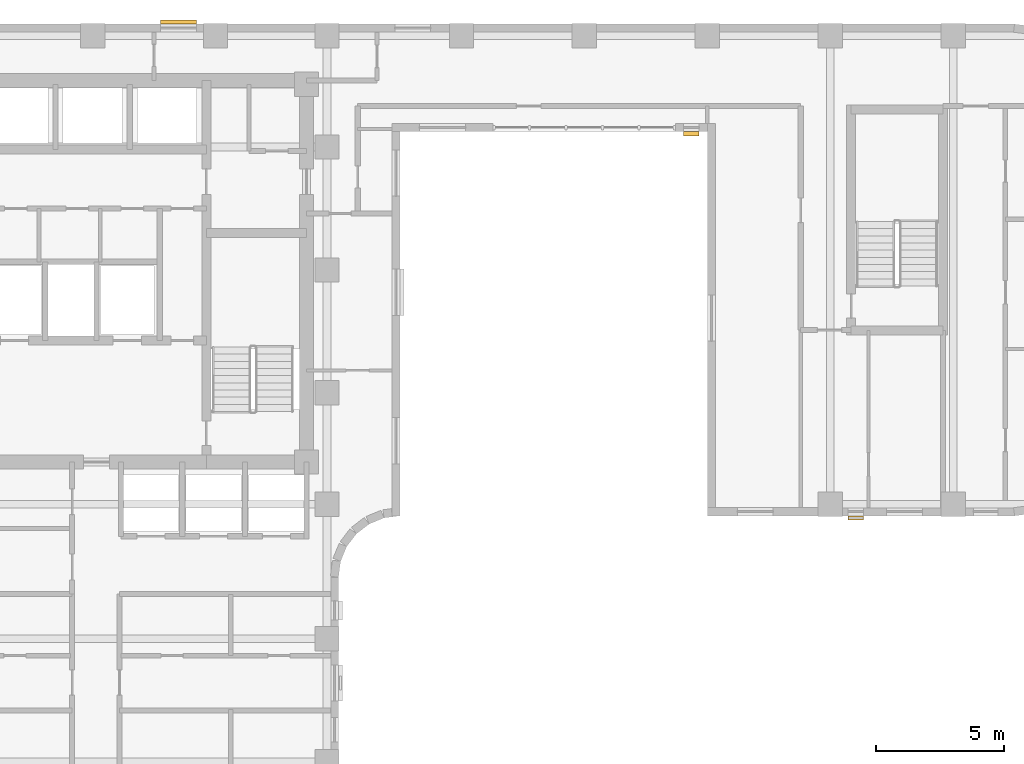
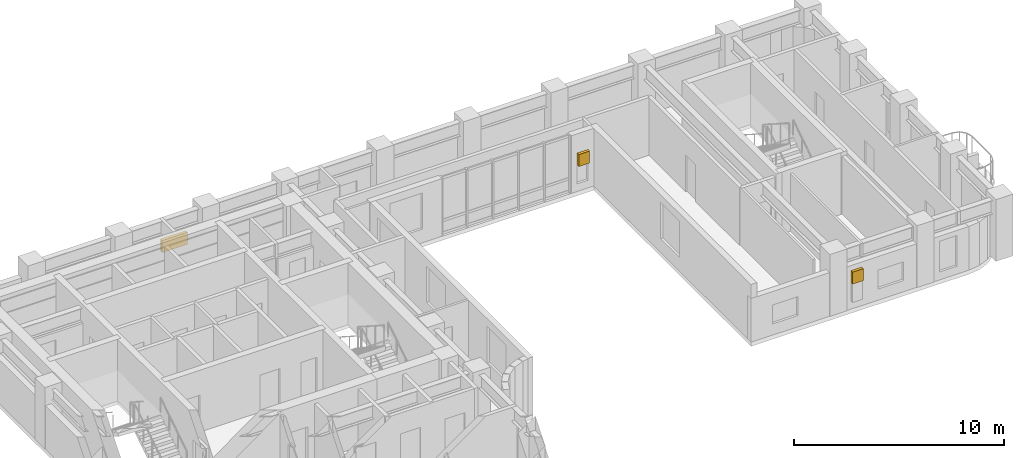
# One storey, part 11 of 11: 3 shading devices.
"""IFC4 building model written with IfcOpenShell, lengths in metres."""

from ifc_helpers import new_model, si_unit, direction, frame, origin, origin_2d, place, context, subcontext, project, spatial, rectangle, extrude, material, type_object, element, save


model = new_model("IFC4")

# Units and contexts
model_context = context("Model", 3, precision=1e-05, world=origin(), true_north=direction((0.0, 1.0)))
body_context = subcontext(model_context, "Body", "Model", "MODEL_VIEW")
ifc_project = project(units=[si_unit("LENGTHUNIT", "METRE"), si_unit("AREAUNIT", "SQUARE_METRE"), si_unit("VOLUMEUNIT", "CUBIC_METRE"), si_unit("PLANEANGLEUNIT", "RADIAN"), si_unit("MASSUNIT", "GRAM", prefix="KILO")], contexts=[model_context])

# Site, building, storey
site_placement = place(None, origin())
site = spatial("IfcSite", under=ifc_project, at=site_placement, CompositionType="ELEMENT")
building_placement = place(site_placement, origin())
building = spatial("IfcBuilding", under=site, at=building_placement, Name="Orvandelia Arch Residences", CompositionType="ELEMENT")
storey_placement = place(building_placement, frame((0.0, 0.0, 172.0)))
storey = spatial("IfcBuildingStorey", under=building, at=storey_placement, Name="L45", CompositionType="ELEMENT", Elevation=172.0)

# Shading devices
ifc_material = material(Name="Anodised Champagne-Bronze Extruded Aluminium", Category="aluminium")
shading_device_type = type_object("IfcShadingDeviceType", Name="SHD-JALOUSIE-SCREEN", PredefinedType="JALOUSIE", material=ifc_material)
shading_device_placement = place(storey_placement, frame((17.75244140625, 48.080078125, 1.0498046875), z_axis=(0.0, 0.0, 1.0), x_axis=(1.0, 0.0, 0.0)))
element("IfcShadingDevice", 1, at=shading_device_placement, inside=storey, type_object=shading_device_type, Name="Bronze Jalousie Sun-Shade L45-001", PredefinedType="JALOUSIE", context=body_context, shape_type="SweptSolid", body=[
    extrude(rectangle(XDim=1.39990234375, YDim=0.159912109375, at=origin_2d()), origin(), (0.0, 0.0, 1.0), 0.699951171875),
])
for number, where, z_axis, x_axis, name in (
    (2, (44.197509765625, 28.719970703125, 1.5498046875), (0.0, 0.0, 1.0), (-1.0, 0.0, 0.0), "Bronze Jalousie Sun-Shade L45-003"),
    (3, (37.780029296875, 43.719970703125, 1.5498046875), (0.0, 0.0, 1.0), (-1.0, 0.0, 0.0), "Bronze Jalousie Sun-Shade L45-004"),
):
    element("IfcShadingDevice", number, at=place(storey_placement, frame(where, z_axis=z_axis, x_axis=x_axis)), inside=storey, type_object=shading_device_type, Name=name, PredefinedType="JALOUSIE", context=body_context, shape_type="SweptSolid", body=[
        extrude(rectangle(XDim=0.60009765625, YDim=0.159912109375, at=origin_2d()), origin(), (0.0, 0.0, 1.0), 0.699951171875),
    ])

save(model, "model.ifc")
